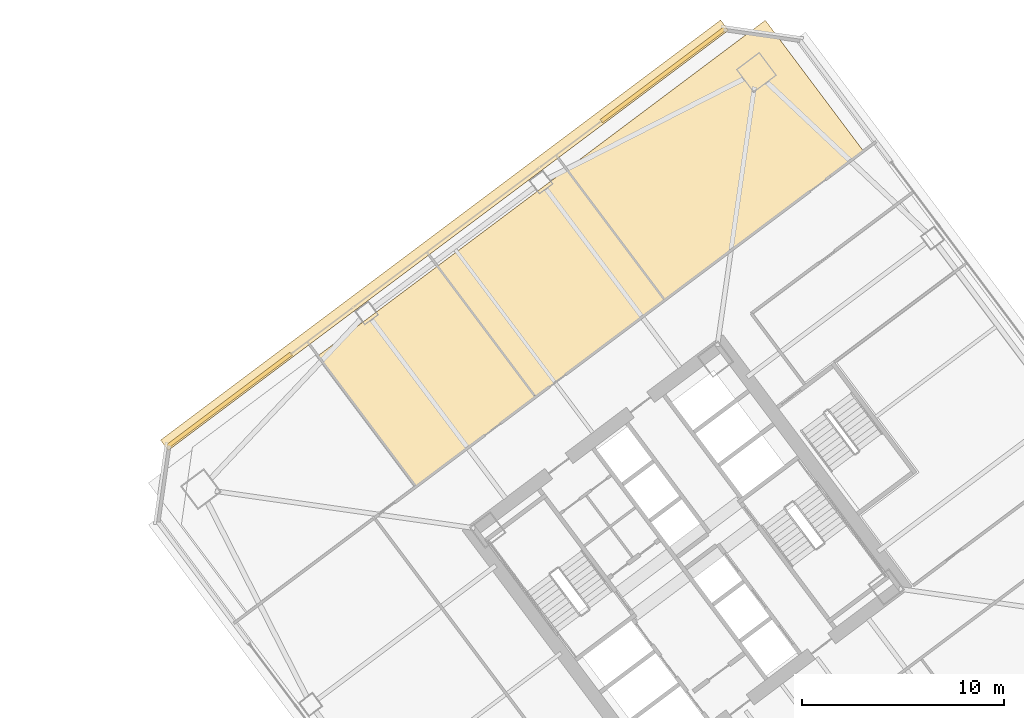
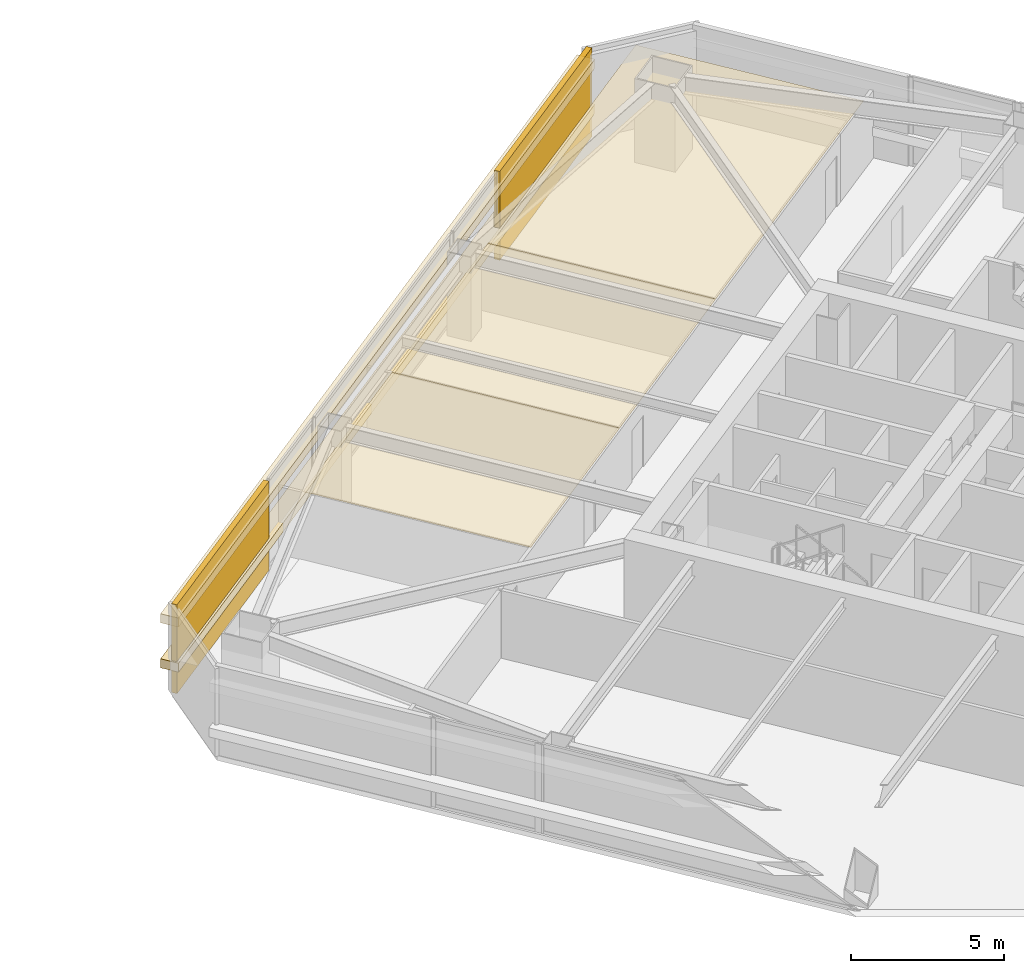
# One storey, part 43 of 44: 7 coverings.
"""IFC4 building model written with IfcOpenShell, lengths in metres."""

from ifc_helpers import new_model, si_unit, direction, frame, origin, origin_2d, place, context, subcontext, project, spatial, polyline, rectangle, outline, extrude, material, layer, layer_set, type_object, element, save


model = new_model("IFC4")

# Units and contexts
model_context = context("Model", 3, precision=1e-05, world=origin(), true_north=direction((0.0, 1.0)))
body_context = subcontext(model_context, "Body", "Model", "MODEL_VIEW")
ifc_project = project(units=[si_unit("LENGTHUNIT", "METRE"), si_unit("AREAUNIT", "SQUARE_METRE"), si_unit("VOLUMEUNIT", "CUBIC_METRE"), si_unit("PLANEANGLEUNIT", "RADIAN"), si_unit("MASSUNIT", "GRAM", prefix="KILO")], contexts=[model_context])

# Site, building, storey
site_placement = place(None, origin())
site = spatial("IfcSite", under=ifc_project, at=site_placement, CompositionType="ELEMENT")
building_placement = place(site_placement, origin())
building = spatial("IfcBuilding", under=site, at=building_placement, Name="Tashvorn Skyway Center", CompositionType="ELEMENT")
storey_placement = place(building_placement, frame((0.0, 0.0, 74.300048828125)))
storey = spatial("IfcBuildingStorey", under=building, at=storey_placement, Name="L19", CompositionType="ELEMENT", Elevation=74.300048828125)

# Coverings
ifc_material_1 = material(Name="Precast concrete C40/50", Category="concrete")
ifc_layer_1 = layer(ifc_material_1, 0.199951171875)
ifc_layer_set_1 = layer_set([ifc_layer_1], Name="Precast concrete C40/50")
covering_type_1 = type_object("IfcCoveringType", Name="COV-BRACE-CLAD", PredefinedType="CLADDING", material=ifc_layer_set_1)
for number, where, z_axis, x_axis, name in (
    (1, (91.320068359375, 39.840087890625, 0.0), (0.0, 0.0, 1.0), (0.799999996291, 0.600000004945, 0.0), "Tower 2 L19 North Unitised Curtain Wall Mega-Brace Cladding Band 1"),
    (2, (112.823974609375, 55.968017578125, 0.0), (0.0, 0.0, 1.0), (0.799999996291, 0.600000004945, 0.0), "Tower 2 L19 North Unitised Curtain Wall Mega-Brace Cladding Band 2"),
):
    element("IfcCovering", number, at=place(storey_placement, frame(where, z_axis=z_axis, x_axis=x_axis)), inside=storey, type_object=covering_type_1, Name=name, PredefinedType="CLADDING", context=body_context, shape_type="SweptSolid", body=[
        extrude(rectangle(XDim=7.679931640625, YDim=0.199951171875, at=origin_2d()), origin(), (0.0, 0.0, 1.0), 3.550048828125),
    ])
ifc_material_2 = material(Name="Mineral-fibre acoustic ceiling tile on suspended grid")
ifc_layer_2 = layer(ifc_material_2, 0.02001953125)
ifc_layer_set_2 = layer_set([ifc_layer_2], Name="Mineral-fibre acoustic ceiling tile on suspended grid")
covering_type_2 = type_object("IfcCoveringType", Name="COV-CEIL-20", PredefinedType="CEILING", material=ifc_layer_set_2)
covering_1_placement = place(storey_placement, frame((0.0, 0.0, 2.682861328125)))
element("IfcCovering", 3, at=covering_1_placement, inside=storey, type_object=covering_type_2, Name="Tower 2 L19 Conference Room Acoustic Ceiling", PredefinedType="CEILING", context=body_context, shape_type="SweptSolid", body=[
    extrude(outline(polyline([(100.580078125, 35.56005859375), (106.5, 40.0), (101.639892578125, 46.47998046875), (95.719970703125, 42.0400390625), (100.580078125, 35.56005859375)])), origin(), (0.0, 0.0, 1.0), 0.02001953125),
])
covering_2_placement = place(storey_placement, frame((0.0, 0.0, 2.682861328125)))
element("IfcCovering", 4, at=covering_2_placement, inside=storey, type_object=covering_type_2, Name="Tower 2 L19 Boardroom Acoustic Ceiling", PredefinedType="CEILING", context=body_context, shape_type="SweptSolid", body=[
    extrude(outline(polyline([(106.5, 40.0), (112.89990234375, 44.800048828125), (108.0400390625, 51.280029296875), (101.639892578125, 46.47998046875), (106.5, 40.0)])), origin(), (0.0, 0.0, 1.0), 0.02001953125),
])
covering_3_placement = place(storey_placement, frame((0.0, 0.0, 2.682861328125)))
element("IfcCovering", 5, at=covering_3_placement, inside=storey, type_object=covering_type_2, Name="Tower 2 L19 Gallery Showroom Acoustic Ceiling", PredefinedType="CEILING", context=body_context, shape_type="SweptSolid", body=[
    extrude(outline(polyline([(112.89990234375, 44.800048828125), (122.739990234375, 52.179931640625), (117.8798828125, 58.659912109375), (108.0400390625, 51.280029296875), (112.89990234375, 44.800048828125)])), origin(), (0.0, 0.0, 1.0), 0.02001953125),
])
ifc_material_3 = material(Name="Perforated ceramic-coated bronze aluminium solar screen", Category="aluminium")
ifc_layer_3 = layer(ifc_material_3, 0.85009765625)
ifc_layer_set_3 = layer_set([ifc_layer_3], Name="Perforated ceramic-coated bronze aluminium solar screen")
covering_type_3 = type_object("IfcCoveringType", Name="COV-SOLAR-BAND", PredefinedType="CLADDING", material=ifc_layer_set_3)
for number, where, z_axis, x_axis, name in (
    (6, (101.988037109375, 48.01611328125, 0.919921875), (0.0, 0.0, 1.0), (0.799999996291, 0.600000004945, 0.0), "L19 Perforated Ceramic-Metal Solar Screen Louvre Band North 1"),
    (7, (101.988037109375, 48.01611328125, 2.7197265625), (0.0, 0.0, 1.0), (0.799999996291, 0.600000004945, 0.0), "L19 Perforated Ceramic-Metal Solar Screen Louvre Band North 2"),
):
    element("IfcCovering", number, at=place(storey_placement, frame(where, z_axis=z_axis, x_axis=x_axis)), inside=storey, type_object=covering_type_3, Name=name, PredefinedType="CLADDING", context=body_context, shape_type="SweptSolid", body=[
        extrude(rectangle(XDim=34.679931640625, YDim=0.639892578125, at=origin_2d()), origin(), (0.0, 0.0, 1.0), 0.360107421875),
    ])

save(model, "model.ifc")
